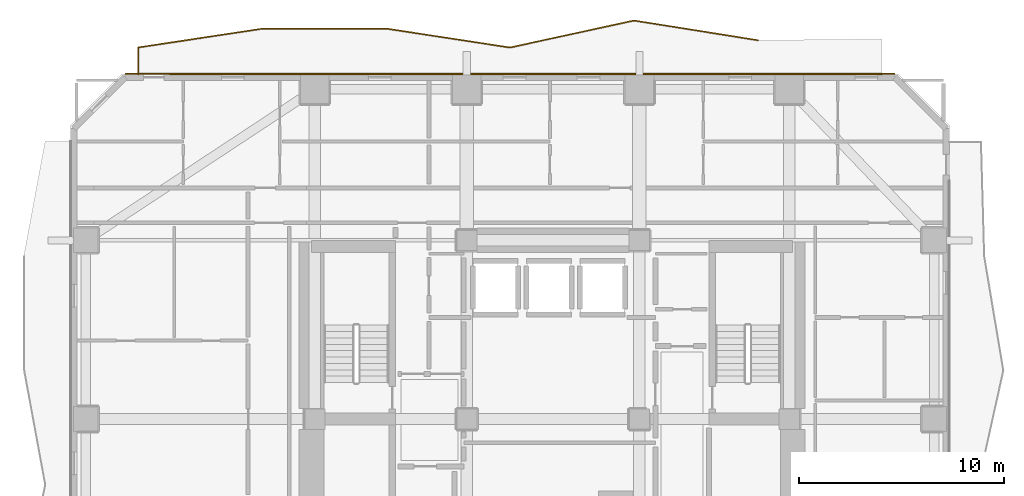
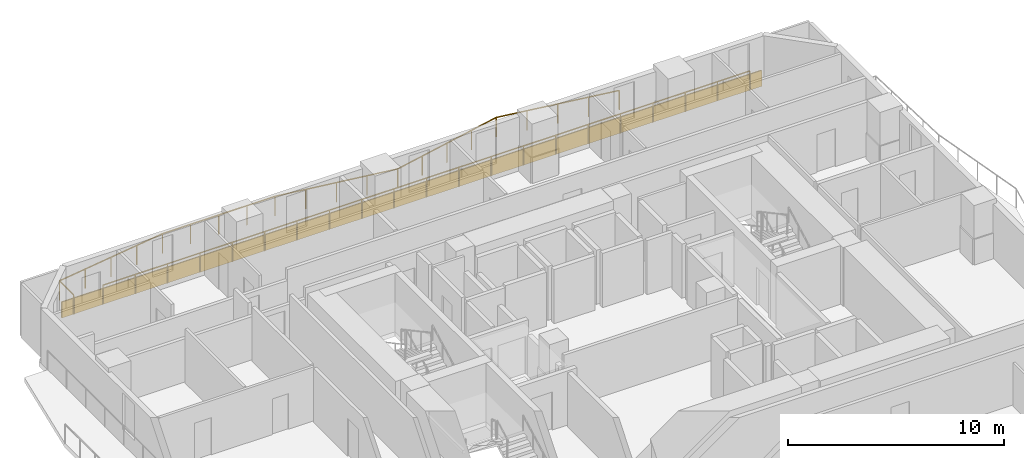
# One storey, part 11 of 11: 2 railings, 1 covering.
"""IFC4 building model written with IfcOpenShell, lengths in metres."""

from ifc_helpers import new_model, si_unit, direction, frame, frame_2d, origin, origin_2d, place, context, subcontext, project, spatial, rectangle, extrude, material, layer, layer_set, type_object, element, save


model = new_model("IFC4")

# Units and contexts
model_context = context("Model", 3, precision=1e-05, world=origin(), true_north=direction((0.0, 1.0)))
body_context = subcontext(model_context, "Body", "Model", "MODEL_VIEW")
ifc_project = project(units=[si_unit("LENGTHUNIT", "METRE"), si_unit("AREAUNIT", "SQUARE_METRE"), si_unit("VOLUMEUNIT", "CUBIC_METRE"), si_unit("PLANEANGLEUNIT", "RADIAN"), si_unit("MASSUNIT", "GRAM", prefix="KILO")], contexts=[model_context])

# Site, building, storey
site_placement = place(None, origin())
site = spatial("IfcSite", under=ifc_project, at=site_placement, CompositionType="ELEMENT")
building_placement = place(site_placement, origin())
building = spatial("IfcBuilding", under=site, at=building_placement, Name="Solanera Arch Residences", CompositionType="ELEMENT")
storey_placement = place(building_placement, frame((0.0, 0.0, 35.280029296875)))
storey = spatial("IfcBuildingStorey", under=building, at=storey_placement, Name="L09", CompositionType="ELEMENT", Elevation=35.280029296875)

# Railings
ifc_material_1 = material(Name="Steel S355 (ASTM A992 / A572 Grade 50)", Category="steel")
railing_type = type_object("IfcRailingType", Name="Balustrade Railing BL-1100", PredefinedType="BALUSTRADE", material=ifc_material_1)
railing_1_placement = place(storey_placement, frame((34.967041015625, 49.14306640625, 0.0)))
element("IfcRailing", 1, at=railing_1_placement, inside=storey, type_object=railing_type, Name="L09 N Balcony Balustrade 1", PredefinedType="BALUSTRADE", context=body_context, shape_type="SweptSolid", body=[
    extrude(rectangle(XDim=0.048095703125, YDim=0.048095703125, at=origin_2d()), frame((0.0, 0.0, 1.09619140625), z_axis=(-0.987579883594, 0.157117705939, 0.0), x_axis=(-0.157117705939, -0.987579883594, 0.0)), (0.0, 0.0, 1.0), 6.10986328125),
    extrude(rectangle(XDim=0.048095703125, YDim=0.048095703125, at=origin_2d()), frame((-6.033935546875, 0.9599609375, 1.09619140625), z_axis=(-0.977062749054, -0.212951601101, 0.0), x_axis=(0.212951601101, -0.977062749054, 0.0)), (0.0, 0.0, 1.0), 6.1748046875),
    extrude(rectangle(XDim=0.048095703125, YDim=0.048095703125, at=origin_2d()), frame((-12.067138671875, -0.35498046875, 1.09619140625), z_axis=(-0.988477818303, 0.151365791124, 0.0), x_axis=(-0.151365791124, -0.988477818303, 0.0)), (0.0, 0.0, 1.0), 6.103271484375),
    extrude(rectangle(XDim=0.048095703125, YDim=0.048095703125, at=origin_2d()), frame((-18.10009765625, 0.56884765625, 1.09619140625), z_axis=(-0.999998879398, -0.001497064881, 0.0), x_axis=(0.001497064881, -0.999998879398, 0.0)), (0.0, 0.0, 1.0), 6.033935546875),
    extrude(rectangle(XDim=0.048095703125, YDim=0.048095703125, at=origin_2d()), frame((-24.134033203125, 0.559814453125, 1.09619140625), z_axis=(-0.988769318188, -0.149449775543, 0.0), x_axis=(0.149449775543, -0.988769318188, 0.0)), (0.0, 0.0, 1.0), 6.1015625),
    extrude(rectangle(XDim=0.048095703125, YDim=0.048095703125, at=origin_2d()), frame((-30.1669921875, -0.35205078125, 1.09619140625), z_axis=(0.0, -1.0, 0.0), x_axis=(1.0, 0.0, 0.0)), (0.0, 0.0, 1.0), 1.31103515625),
    extrude(rectangle(XDim=0.0419921875, YDim=0.0419921875, at=origin_2d()), origin(), (0.0, 0.0, 1.0), 1.072021484375),
    extrude(rectangle(XDim=0.0419921875, YDim=0.0419921875, at=origin_2d()), frame((-1.508544921875, 0.239990234375, 0.0)), (0.0, 0.0, 1.0), 1.072021484375),
    extrude(rectangle(XDim=0.0419921875, YDim=0.0419921875, at=origin_2d()), frame((-3.01708984375, 0.47998046875, 0.0)), (0.0, 0.0, 1.0), 1.072021484375),
    extrude(rectangle(XDim=0.0419921875, YDim=0.0419921875, at=origin_2d()), frame((-4.525390625, 0.719970703125, 0.0)), (0.0, 0.0, 1.0), 1.072021484375),
    extrude(rectangle(XDim=0.0419921875, YDim=0.0419921875, at=origin_2d()), frame((-6.033935546875, 0.9599609375, 0.0)), (0.0, 0.0, 1.0), 1.072021484375),
    extrude(rectangle(XDim=0.0419921875, YDim=0.0419921875, at=origin_2d()), frame((-7.542236328125, 0.63134765625, 0.0)), (0.0, 0.0, 1.0), 1.072021484375),
    extrude(rectangle(XDim=0.0419921875, YDim=0.0419921875, at=origin_2d()), frame((-9.050537109375, 0.302490234375, 0.0)), (0.0, 0.0, 1.0), 1.072021484375),
    extrude(rectangle(XDim=0.0419921875, YDim=0.0419921875, at=origin_2d()), frame((-10.558837890625, -0.0263671875, 0.0)), (0.0, 0.0, 1.0), 1.072021484375),
    extrude(rectangle(XDim=0.0419921875, YDim=0.0419921875, at=origin_2d()), frame((-12.067138671875, -0.35498046875, 0.0)), (0.0, 0.0, 1.0), 1.072021484375),
    extrude(rectangle(XDim=0.0419921875, YDim=0.0419921875, at=origin_2d()), frame((-13.575439453125, -0.1240234375, 0.0)), (0.0, 0.0, 1.0), 1.072021484375),
    extrude(rectangle(XDim=0.0419921875, YDim=0.0419921875, at=origin_2d()), frame((-15.08349609375, 0.10693359375, 0.0)), (0.0, 0.0, 1.0), 1.072021484375),
    extrude(rectangle(XDim=0.0419921875, YDim=0.0419921875, at=origin_2d()), frame((-16.591796875, 0.337890625, 0.0)), (0.0, 0.0, 1.0), 1.072021484375),
    extrude(rectangle(XDim=0.0419921875, YDim=0.0419921875, at=origin_2d()), frame((-18.10009765625, 0.56884765625, 0.0)), (0.0, 0.0, 1.0), 1.072021484375),
    extrude(rectangle(XDim=0.0419921875, YDim=0.0419921875, at=origin_2d()), frame((-19.608642578125, 0.566650390625, 0.0)), (0.0, 0.0, 1.0), 1.072021484375),
    extrude(rectangle(XDim=0.0419921875, YDim=0.0419921875, at=origin_2d()), frame((-21.1171875, 0.564453125, 0.0)), (0.0, 0.0, 1.0), 1.072021484375),
    extrude(rectangle(XDim=0.0419921875, YDim=0.0419921875, at=origin_2d()), frame((-22.62548828125, 0.56201171875, 0.0)), (0.0, 0.0, 1.0), 1.072021484375),
    extrude(rectangle(XDim=0.0419921875, YDim=0.0419921875, at=origin_2d()), frame((-24.134033203125, 0.559814453125, 0.0)), (0.0, 0.0, 1.0), 1.072021484375),
    extrude(rectangle(XDim=0.0419921875, YDim=0.0419921875, at=origin_2d()), frame((-25.642333984375, 0.331787109375, 0.0)), (0.0, 0.0, 1.0), 1.072021484375),
    extrude(rectangle(XDim=0.0419921875, YDim=0.0419921875, at=origin_2d()), frame((-27.150390625, 0.10400390625, 0.0)), (0.0, 0.0, 1.0), 1.072021484375),
    extrude(rectangle(XDim=0.0419921875, YDim=0.0419921875, at=origin_2d()), frame((-28.65869140625, -0.1240234375, 0.0)), (0.0, 0.0, 1.0), 1.072021484375),
    extrude(rectangle(XDim=0.0419921875, YDim=0.0419921875, at=origin_2d()), frame((-30.1669921875, -0.35205078125, 0.0)), (0.0, 0.0, 1.0), 1.072021484375),
    extrude(rectangle(XDim=0.0419921875, YDim=0.0419921875, at=origin_2d()), frame((-30.1669921875, -1.6630859375, 0.0)), (0.0, 0.0, 1.0), 1.072021484375),
])
railing_2_placement = place(storey_placement, frame((6.365966796875, 47.47998046875, 0.0)))
element("IfcRailing", 2, at=railing_2_placement, inside=storey, type_object=railing_type, Name="L09 N Balcony Balustrade 2", PredefinedType="BALUSTRADE", context=body_context, shape_type="SweptSolid", body=[
    extrude(rectangle(XDim=0.048095703125, YDim=0.048095703125, at=origin_2d()), frame((0.0, 0.0, 1.09619140625), z_axis=(1.0, 0.0, 0.0), x_axis=(0.0, 1.0, 0.0)), (0.0, 0.0, 1.0), 34.634033203125),
    extrude(rectangle(XDim=0.0419921875, YDim=0.0419921875, at=origin_2d()), origin(), (0.0, 0.0, 1.0), 1.072021484375),
    extrude(rectangle(XDim=0.0419921875, YDim=0.0419921875, at=origin_2d()), frame((1.731689453125, 0.0, 0.0)), (0.0, 0.0, 1.0), 1.072021484375),
    extrude(rectangle(XDim=0.0419921875, YDim=0.0419921875, at=origin_2d()), frame((3.46337890625, 0.0, 0.0)), (0.0, 0.0, 1.0), 1.072021484375),
    extrude(rectangle(XDim=0.0419921875, YDim=0.0419921875, at=origin_2d()), frame((5.195068359375, 0.0, 0.0)), (0.0, 0.0, 1.0), 1.072021484375),
    extrude(rectangle(XDim=0.0419921875, YDim=0.0419921875, at=origin_2d()), frame((6.9267578125, 0.0, 0.0)), (0.0, 0.0, 1.0), 1.072021484375),
    extrude(rectangle(XDim=0.0419921875, YDim=0.0419921875, at=origin_2d()), frame((8.658447265625, 0.0, 0.0)), (0.0, 0.0, 1.0), 1.072021484375),
    extrude(rectangle(XDim=0.0419921875, YDim=0.0419921875, at=origin_2d()), frame((10.39013671875, 0.0, 0.0)), (0.0, 0.0, 1.0), 1.072021484375),
    extrude(rectangle(XDim=0.0419921875, YDim=0.0419921875, at=origin_2d()), frame((12.121826171875, 0.0, 0.0)), (0.0, 0.0, 1.0), 1.072021484375),
    extrude(rectangle(XDim=0.0419921875, YDim=0.0419921875, at=origin_2d()), frame((13.853515625, 0.0, 0.0)), (0.0, 0.0, 1.0), 1.072021484375),
    extrude(rectangle(XDim=0.0419921875, YDim=0.0419921875, at=origin_2d()), frame((15.585205078125, 0.0, 0.0)), (0.0, 0.0, 1.0), 1.072021484375),
    extrude(rectangle(XDim=0.0419921875, YDim=0.0419921875, at=origin_2d()), frame((17.31689453125, 0.0, 0.0)), (0.0, 0.0, 1.0), 1.072021484375),
    extrude(rectangle(XDim=0.0419921875, YDim=0.0419921875, at=origin_2d()), frame((19.048828125, 0.0, 0.0)), (0.0, 0.0, 1.0), 1.072021484375),
    extrude(rectangle(XDim=0.0419921875, YDim=0.0419921875, at=origin_2d()), frame((20.780517578125, 0.0, 0.0)), (0.0, 0.0, 1.0), 1.072021484375),
    extrude(rectangle(XDim=0.0419921875, YDim=0.0419921875, at=origin_2d()), frame((22.51220703125, 0.0, 0.0)), (0.0, 0.0, 1.0), 1.072021484375),
    extrude(rectangle(XDim=0.0419921875, YDim=0.0419921875, at=origin_2d()), frame((24.243896484375, 0.0, 0.0)), (0.0, 0.0, 1.0), 1.072021484375),
    extrude(rectangle(XDim=0.0419921875, YDim=0.0419921875, at=origin_2d()), frame((25.9755859375, 0.0, 0.0)), (0.0, 0.0, 1.0), 1.072021484375),
    extrude(rectangle(XDim=0.0419921875, YDim=0.0419921875, at=origin_2d()), frame((27.707275390625, 0.0, 0.0)), (0.0, 0.0, 1.0), 1.072021484375),
    extrude(rectangle(XDim=0.0419921875, YDim=0.0419921875, at=origin_2d()), frame((29.43896484375, 0.0, 0.0)), (0.0, 0.0, 1.0), 1.072021484375),
    extrude(rectangle(XDim=0.0419921875, YDim=0.0419921875, at=origin_2d()), frame((31.170654296875, 0.0, 0.0)), (0.0, 0.0, 1.0), 1.072021484375),
    extrude(rectangle(XDim=0.0419921875, YDim=0.0419921875, at=origin_2d()), frame((32.90234375, 0.0, 0.0)), (0.0, 0.0, 1.0), 1.072021484375),
    extrude(rectangle(XDim=0.0419921875, YDim=0.0419921875, at=origin_2d()), frame((34.634033203125, 0.0, 0.0)), (0.0, 0.0, 1.0), 1.072021484375),
])

# Covering
ifc_material_2 = material(Name="Philippine Adobe Travertine Cladding", Category="masonry")
ifc_layer = layer(ifc_material_2, 0.06005859375)
ifc_layer_set = layer_set([ifc_layer], Name="Philippine Adobe Travertine Cladding")
covering_type = type_object("IfcCoveringType", Name="Precast Pier Stone Cladding CLD-60", PredefinedType="CLADDING", material=ifc_layer_set)
covering_placement = place(storey_placement, frame((4.1650390625, 47.514892578125, 0.0), z_axis=(0.0, 0.0, 1.0), x_axis=(1.0, 0.0, 0.0)))
element("IfcCovering", 3, at=covering_placement, inside=storey, type_object=covering_type, Name="L09 N Precast Spandrel Stone Band", PredefinedType="CLADDING", context=body_context, shape_type="SweptSolid", body=[
    extrude(rectangle(XDim=37.469970703125, YDim=0.06005859375, at=frame_2d((18.73486328125, 0.0))), origin(), (0.0, 0.0, 1.0), 0.89990234375),
])

save(model, "model.ifc")
